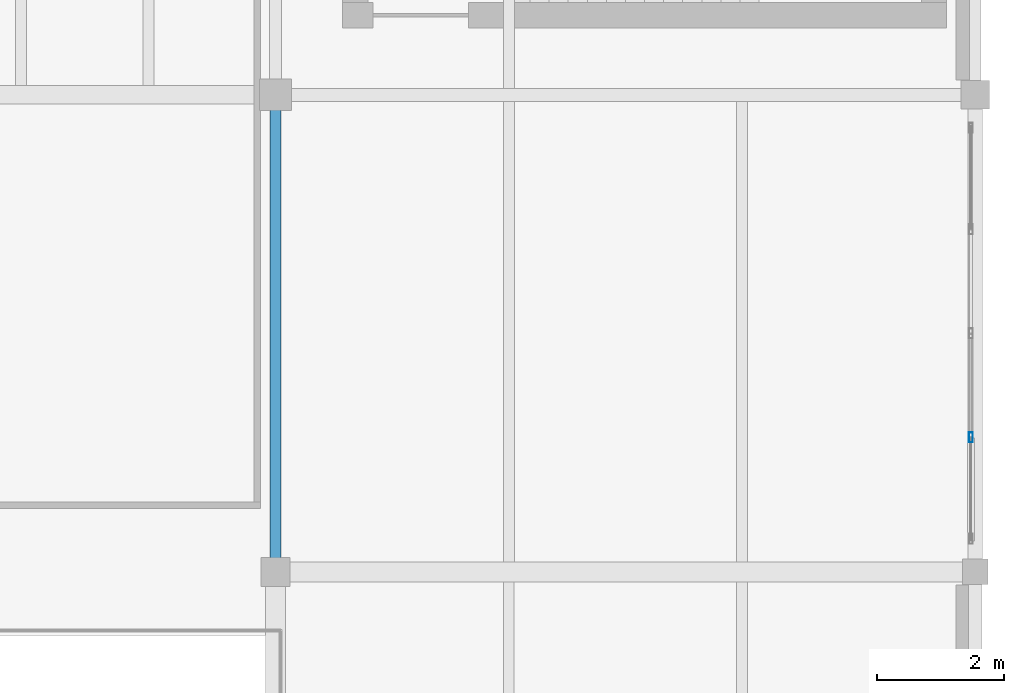
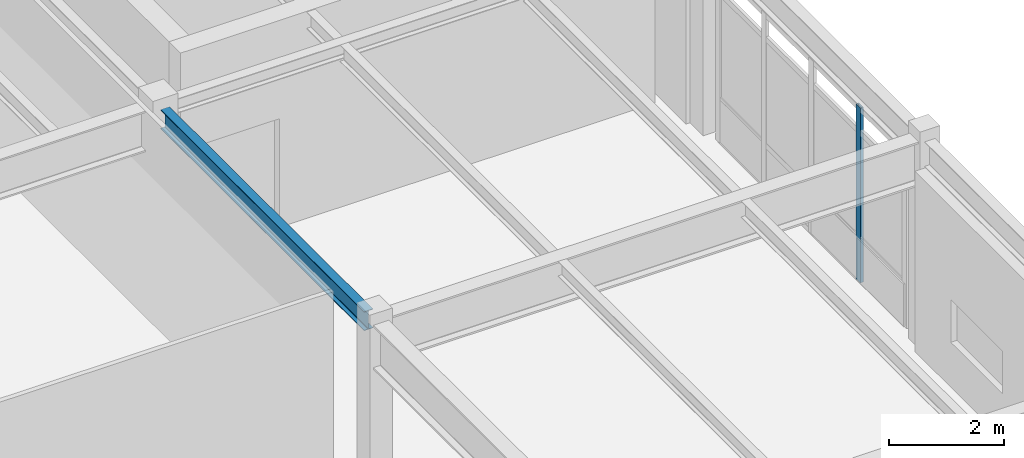
# One storey, part 106 of 168: 1 beam, 1 member, 1 element without a shape of its own.
"""IFC4 building model written with IfcOpenShell, lengths in metres."""

from ifc_helpers import new_model, si_unit, direction, frame, origin, origin_2d, place, context, subcontext, project, spatial, hollow_rectangle, i_section, extrude, material, material_profile, profile_set, type_object, element, aggregate, save


model = new_model("IFC4")

# Units and contexts
model_context = context("Model", 3, precision=1e-05, world=origin(), true_north=direction((0.0, 1.0)))
body_context = subcontext(model_context, "Body", "Model", "MODEL_VIEW")
ifc_project = project(units=[si_unit("LENGTHUNIT", "METRE"), si_unit("AREAUNIT", "SQUARE_METRE"), si_unit("VOLUMEUNIT", "CUBIC_METRE"), si_unit("PLANEANGLEUNIT", "RADIAN"), si_unit("MASSUNIT", "GRAM", prefix="KILO"), si_unit("THERMODYNAMICTEMPERATUREUNIT", "KELVIN"), si_unit("POWERUNIT", "WATT")], contexts=[model_context])

# Site, building, storey
site_placement = place(None, origin())
site = spatial("IfcSite", under=ifc_project, at=site_placement, CompositionType="ELEMENT")
building_placement = place(site_placement, origin())
building = spatial("IfcBuilding", under=site, at=building_placement, Name="Tepalcoro Natatorium and Aquatics Centre", CompositionType="ELEMENT")
storey_placement = place(building_placement, frame((0.0, 0.0, 10.199951171875)))
storey = spatial("IfcBuildingStorey", under=building, at=storey_placement, Name="L02", CompositionType="ELEMENT", Elevation=10.199951171875)

# Beam
ifc_material_1 = material(Name="Steel ASTM A992 Grade 50 (Fy 345 MPa)", Category="steel")
ifc_material_profile_1 = material_profile(ifc_material_1, i_section(OverallWidth=0.177978515625, OverallDepth=0.406005859375, WebThickness=0.008056640625, FlangeThickness=0.012939453125, FilletRadius=0.013916015625, at=origin_2d()), Name="W16X40")
ifc_profile_set_1 = profile_set([ifc_material_profile_1], Name="Steel ASTM A992 Grade 50 (Fy 345 MPa)")
beam_type = type_object("IfcBeamType", Name="BM_W16x40", PredefinedType="BEAM", material=ifc_profile_set_1)
beam_placement = place(storey_placement, frame((165.0, 44.2099609375, 4.162109375), z_axis=(0.0, 1.0, 0.0), x_axis=(-1.0, 0.0, 0.0)))
element("IfcBeam", 1, at=beam_placement, inside=storey, type_object=beam_type, Name="V2 L02 Grid Girder Y", PredefinedType="BEAM", context=body_context, shape_type="SweptSolid", body=[
    extrude(i_section(OverallWidth=0.177978515625, OverallDepth=0.406005859375, WebThickness=0.008056640625, FlangeThickness=0.012939453125, FilletRadius=0.013916015625, at=origin_2d()), origin(), (0.0, 0.0, 1.0), 7.054931640625),
])

# Curtain wall, member
ifc_material_2 = material(Name="Bronze-Anodised Extruded Aluminium Alloy EN AW-6063 T6", Category="aluminium")
curtain_wall_type = type_object("IfcCurtainWallType", Name="CW_V3_FOYER", PredefinedType="USERDEFINED", material=ifc_material_2)
curtain_wall_placement = place(storey_placement, origin())
curtain_wall = element("IfcCurtainWall", 2, at=curtain_wall_placement, inside=storey, type_object=curtain_wall_type, Name="V2 L02 E Unitised Curtain Wall Bay 6", ObjectType="UNITISED STOREFRONT", PredefinedType="USERDEFINED")
ifc_material_profile_2 = material_profile(ifc_material_2, hollow_rectangle(XDim=0.06005859375, YDim=0.159912109375, WallThickness=0.00390625, at=origin_2d()), Name="AL60X160X4")
ifc_profile_set_2 = profile_set([ifc_material_profile_2], Name="Bronze-Anodised Extruded Aluminium Alloy EN AW-6063 T6")
member_type = type_object("IfcMemberType", Name="CW_MUL_60x160", PredefinedType="MULLION", material=ifc_profile_set_2)
member_placement = place(storey_placement, frame((175.9287109375, 46.114990234375, 0.02001953125), z_axis=(0.0, 0.0, 1.0), x_axis=(1.0, 0.0, 0.0)))
member = element("IfcMember", 3, at=member_placement, type_object=member_type, Name="CW_V3_FOYER Curtain Wall Mullion", PredefinedType="MULLION", context=body_context, shape_type="SweptSolid", body=[
    extrude(hollow_rectangle(XDim=0.06005859375, YDim=0.159912109375, WallThickness=0.00390625, at=origin_2d()), origin(), (0.0, 0.0, 1.0), 3.697998046875),
])
aggregate(curtain_wall, [member])

save(model, "model.ifc")
